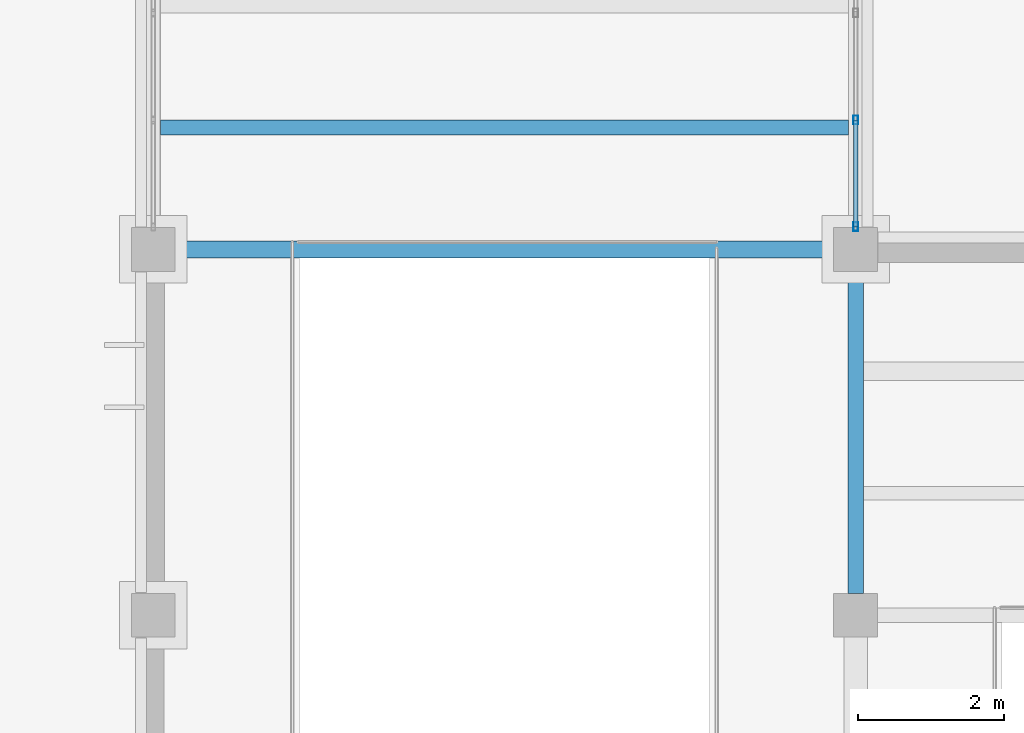
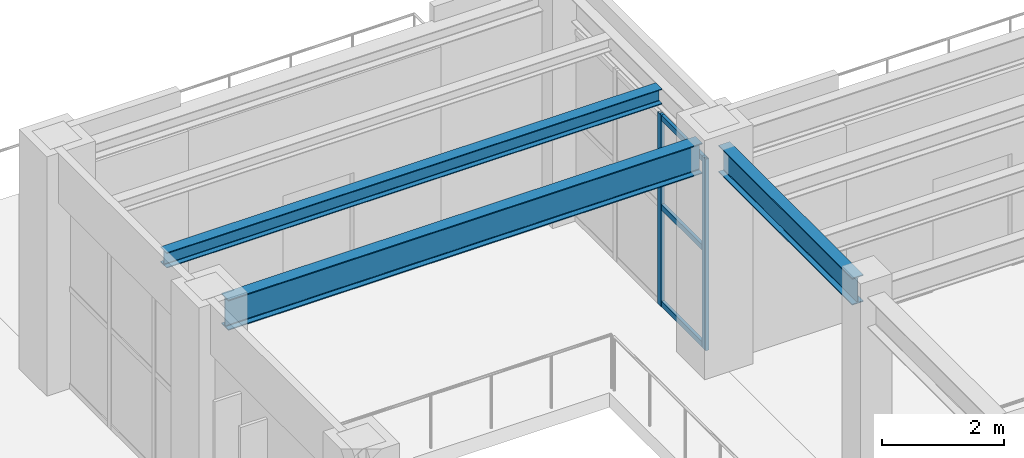
# One storey, part 25 of 83: 5 members, 3 beams, 1 element without a shape of its own.
"""IFC4 building model written with IfcOpenShell, lengths in metres."""

from ifc_helpers import new_model, si_unit, direction, frame, origin, origin_2d, place, context, subcontext, project, spatial, hollow_rectangle, i_section, extrude, material, material_profile, profile_set, type_object, element, aggregate, save


model = new_model("IFC4")

# Units and contexts
model_context = context("Model", 3, precision=1e-05, world=origin(), true_north=direction((0.0, 1.0)))
body_context = subcontext(model_context, "Body", "Model", "MODEL_VIEW")
ifc_project = project(units=[si_unit("LENGTHUNIT", "METRE"), si_unit("AREAUNIT", "SQUARE_METRE"), si_unit("VOLUMEUNIT", "CUBIC_METRE"), si_unit("PLANEANGLEUNIT", "RADIAN"), si_unit("MASSUNIT", "GRAM", prefix="KILO")], contexts=[model_context])

# Site, building, storey
site_placement = place(None, origin())
site = spatial("IfcSite", under=ifc_project, at=site_placement, CompositionType="ELEMENT")
building_placement = place(site_placement, origin())
building = spatial("IfcBuilding", under=site, at=building_placement, Name="Mavantir Sound Aquarium", CompositionType="ELEMENT")
storey_placement = place(building_placement, frame((0.0, 0.0, 10.5)))
storey = spatial("IfcBuildingStorey", under=building, at=storey_placement, Name="L02", CompositionType="ELEMENT", Elevation=10.5)

# Beams
ifc_material_1 = material(Name="Structural Steel ASTM A992 Gr50", Category="steel")
ifc_material_profile_1 = material_profile(ifc_material_1, i_section(OverallWidth=0.205078125, OverallDepth=0.31005859375, WebThickness=0.009521484375, FlangeThickness=0.016357421875, FilletRadius=0.012939453125, at=origin_2d()), Name="W310X74")
ifc_profile_set_1 = profile_set([ifc_material_profile_1], Name="Structural Steel ASTM A992 Gr50")
beam_type_1 = type_object("IfcBeamType", Name="BM-W310X74-I", PredefinedType="JOIST", material=ifc_profile_set_1)
beam_1_placement = place(storey_placement, frame((108.10009765625, 87.466796875, 4.3310546875), z_axis=(1.0, 0.0, 0.0), x_axis=(0.0, 1.0, 0.0)))
element("IfcBeam", 1, at=beam_1_placement, inside=storey, type_object=beam_type_1, Name="L02 secondary floor joist SJ-31 951", PredefinedType="JOIST", context=body_context, shape_type="SweptSolid", body=[
    extrude(i_section(OverallWidth=0.205078125, OverallDepth=0.31005859375, WebThickness=0.009521484375, FlangeThickness=0.016357421875, FilletRadius=0.012939453125, at=origin_2d()), origin(), (0.0, 0.0, 1.0), 9.40283203125),
])
ifc_material_profile_2 = material_profile(ifc_material_1, i_section(OverallWidth=0.2119140625, OverallDepth=0.5439453125, WebThickness=0.01318359375, FlangeThickness=0.021240234375, FilletRadius=0.01806640625, at=origin_2d()), Name="W530X123")
ifc_profile_set_2 = profile_set([ifc_material_profile_2], Name="Structural Steel ASTM A992 Gr50")
beam_type_2 = type_object("IfcBeamType", Name="BM-W530X123-I", PredefinedType="BEAM", material=ifc_profile_set_2)
beam_2_placement = place(storey_placement, frame((117.60009765625, 81.10009765625, 4.214111328125), z_axis=(0.0, 1.0, 0.0), x_axis=(-1.0, 0.0, 0.0)))
element("IfcBeam", 2, at=beam_2_placement, inside=storey, type_object=beam_type_2, Name="L02 primary girder SB-53 1568", PredefinedType="BEAM", context=body_context, shape_type="SweptSolid", body=[
    extrude(i_section(OverallWidth=0.2119140625, OverallDepth=0.5439453125, WebThickness=0.01318359375, FlangeThickness=0.021240234375, FilletRadius=0.01806640625, at=origin_2d()), origin(), (0.0, 0.0, 1.0), 4.39990234375),
])
ifc_material_profile_3 = material_profile(ifc_material_1, i_section(OverallWidth=0.22900390625, OverallDepth=0.612060546875, WebThickness=0.011962890625, FlangeThickness=0.01953125, FilletRadius=0.01904296875, at=origin_2d()), Name="W610X125")
ifc_profile_set_3 = profile_set([ifc_material_profile_3], Name="Structural Steel ASTM A992 Gr50")
beam_type_3 = type_object("IfcBeamType", Name="BM-W610X125-I", PredefinedType="BEAM", material=ifc_profile_set_3)
beam_3_placement = place(storey_placement, frame((108.300048828125, 85.800048828125, 4.179931640625), z_axis=(1.0, 0.0, 0.0), x_axis=(0.0, 1.0, 0.0)))
element("IfcBeam", 3, at=beam_3_placement, inside=storey, type_object=beam_type_3, Name="L02 primary beam SB-61B 1549", PredefinedType="BEAM", context=body_context, shape_type="SweptSolid", body=[
    extrude(i_section(OverallWidth=0.22900390625, OverallDepth=0.612060546875, WebThickness=0.011962890625, FlangeThickness=0.01953125, FilletRadius=0.01904296875, at=origin_2d()), origin(), (0.0, 0.0, 1.0), 9.0),
])

# Curtain wall, members
ifc_material_2 = material(Name="Anodised Marine Aluminium and Low-E Glass", Category="aluminium")
curtain_wall_type = type_object("IfcCurtainWallType", Name="CW-T12", PredefinedType="USERDEFINED", material=ifc_material_2)
curtain_wall_placement = place(storey_placement, origin())
curtain_wall = element("IfcCurtainWall", 4, at=curtain_wall_placement, inside=storey, type_object=curtain_wall_type, Name="L02 unitised curtain wall CW-12 132", ObjectType="UNITISED GLAZING", PredefinedType="USERDEFINED")
ifc_material_3 = material(Name="Anodised Marine Aluminium 6063-T6", Category="aluminium")
ifc_material_profile_4 = material_profile(ifc_material_3, hollow_rectangle(XDim=0.06494140625, YDim=0.1201171875, WallThickness=0.00390625, at=origin_2d()), Name="ALU-MULLION-120X65")
ifc_profile_set_4 = profile_set([ifc_material_profile_4], Name="Anodised Marine Aluminium 6063-T6")
member_type_1 = type_object("IfcMemberType", Name="CW-MUL-120", PredefinedType="MULLION", material=ifc_profile_set_4)
member_1_placement = place(storey_placement, frame((117.60009765625, 86.10791015625, 0.0), z_axis=(0.0, 0.0, 1.0), x_axis=(1.0, 0.0, 0.0)))
member_1 = element("IfcMember", 5, at=member_1_placement, type_object=member_type_1, Name="CW-L02-132 vertical mullion 1", PredefinedType="MULLION", context=body_context, shape_type="SweptSolid", body=[
    extrude(hollow_rectangle(XDim=0.06494140625, YDim=0.1201171875, WallThickness=0.00390625, at=origin_2d()), origin(), (0.0, 0.0, 1.0), 3.843994140625),
])
member_2_placement = place(storey_placement, frame((117.60009765625, 87.5693359375, 0.0), z_axis=(0.0, 0.0, 1.0), x_axis=(1.0, 0.0, 0.0)))
member_2 = element("IfcMember", 6, at=member_2_placement, type_object=member_type_1, Name="CW-L02-132 vertical mullion 2", PredefinedType="MULLION", context=body_context, shape_type="SweptSolid", body=[
    extrude(hollow_rectangle(XDim=0.06494140625, YDim=0.1201171875, WallThickness=0.00390625, at=origin_2d()), origin(), (0.0, 0.0, 1.0), 3.843994140625),
])
ifc_material_profile_5 = material_profile(ifc_material_3, hollow_rectangle(XDim=0.06005859375, YDim=0.110107421875, WallThickness=0.00390625, at=origin_2d()), Name="ALU-TRANSOM-110X60")
ifc_profile_set_5 = profile_set([ifc_material_profile_5], Name="Anodised Marine Aluminium 6063-T6")
member_type_2 = type_object("IfcMemberType", Name="CW-TRN-110", PredefinedType="USERDEFINED", material=ifc_profile_set_5)
member_3_placement = place(storey_placement, frame((117.60009765625, 86.10791015625, 0.054931640625), z_axis=(0.0, 1.0, 0.0), x_axis=(-1.0, 0.0, 0.0)))
member_3 = element("IfcMember", 7, at=member_3_placement, type_object=member_type_2, Name="CW-L02-132 transom 1.1", ObjectType="TRANSOM", PredefinedType="USERDEFINED", context=body_context, shape_type="SweptSolid", body=[
    extrude(hollow_rectangle(XDim=0.06005859375, YDim=0.110107421875, WallThickness=0.00390625, at=origin_2d()), origin(), (0.0, 0.0, 1.0), 1.46142578125),
])
member_4_placement = place(storey_placement, frame((117.60009765625, 86.10791015625, 1.998779296875), z_axis=(0.0, 1.0, 0.0), x_axis=(-1.0, 0.0, 0.0)))
member_4 = element("IfcMember", 8, at=member_4_placement, type_object=member_type_2, Name="CW-L02-132 transom 1.2", ObjectType="TRANSOM", PredefinedType="USERDEFINED", context=body_context, shape_type="SweptSolid", body=[
    extrude(hollow_rectangle(XDim=0.06005859375, YDim=0.110107421875, WallThickness=0.00390625, at=origin_2d()), origin(), (0.0, 0.0, 1.0), 1.46142578125),
])
member_5_placement = place(storey_placement, frame((117.60009765625, 86.10791015625, 3.7890625), z_axis=(0.0, 1.0, 0.0), x_axis=(-1.0, 0.0, 0.0)))
member_5 = element("IfcMember", 9, at=member_5_placement, type_object=member_type_2, Name="CW-L02-132 transom 1.3", ObjectType="TRANSOM", PredefinedType="USERDEFINED", context=body_context, shape_type="SweptSolid", body=[
    extrude(hollow_rectangle(XDim=0.06005859375, YDim=0.110107421875, WallThickness=0.00390625, at=origin_2d()), origin(), (0.0, 0.0, 1.0), 1.46142578125),
])
aggregate(curtain_wall, [member_1, member_2, member_3, member_4, member_5])

save(model, "model.ifc")
